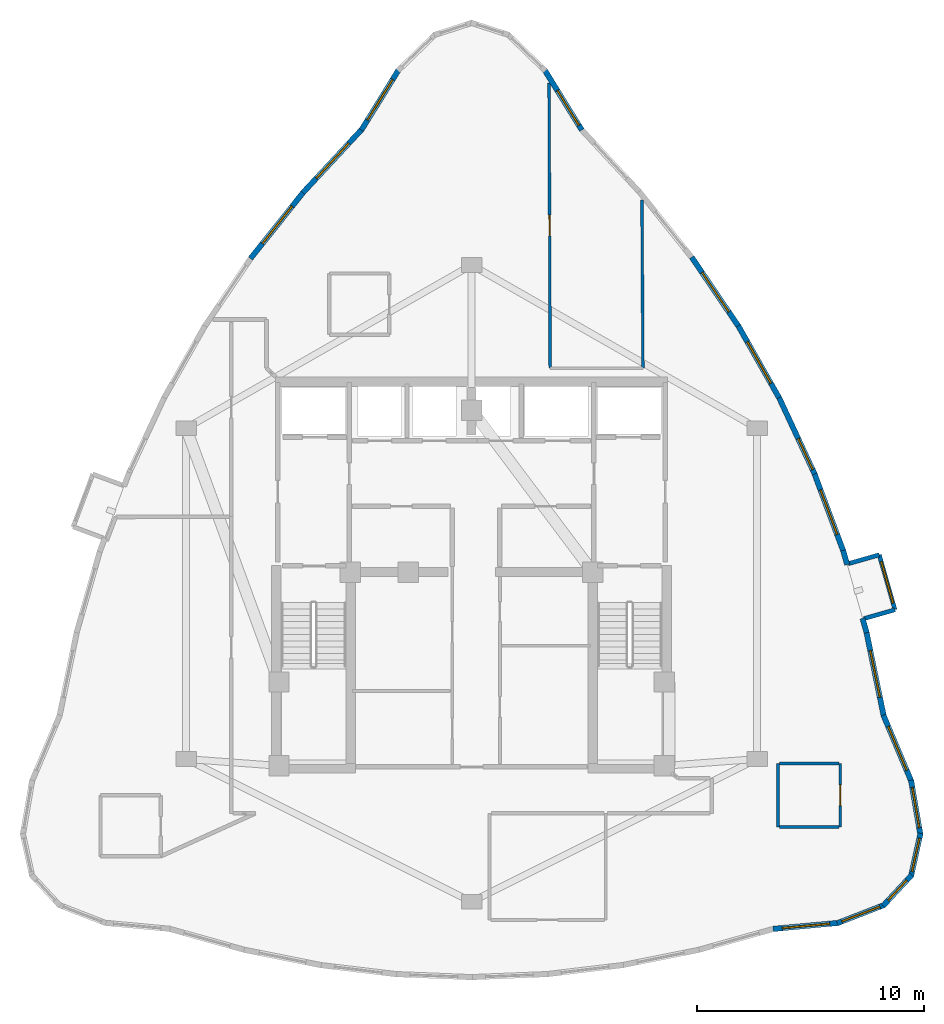
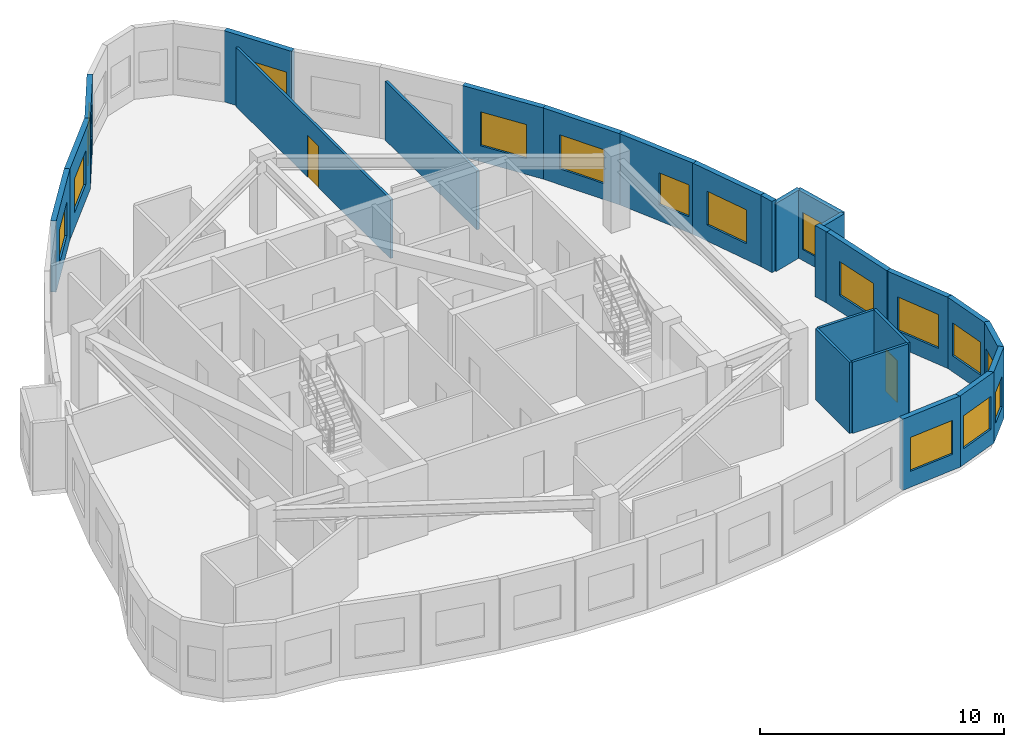
# One storey, part 7 of 9: 26 walls, 16 windows, 2 doors, 18 openings.
"""IFC4 building model written with IfcOpenShell, lengths in metres."""

from ifc_helpers import new_model, si_unit, direction, frame, frame_2d, origin, place, context, subcontext, project, spatial, rectangle, extrude, material, layer, layer_set, type_object, element, fill, save


model = new_model("IFC4")

# Units and contexts
model_context = context("Model", 3, precision=1e-05, world=origin(), true_north=direction((0.0, 1.0)))
body_context = subcontext(model_context, "Body", "Model", "MODEL_VIEW")
ifc_project = project(units=[si_unit("LENGTHUNIT", "METRE"), si_unit("AREAUNIT", "SQUARE_METRE"), si_unit("VOLUMEUNIT", "CUBIC_METRE"), si_unit("PLANEANGLEUNIT", "RADIAN"), si_unit("MASSUNIT", "GRAM", prefix="KILO")], contexts=[model_context])

# Site, building, storey
site_placement = place(None, origin())
site = spatial("IfcSite", under=ifc_project, at=site_placement, CompositionType="ELEMENT")
building_placement = place(site_placement, origin())
building = spatial("IfcBuilding", under=site, at=building_placement, Name="Miruveldt Soraemaru", CompositionType="ELEMENT")
storey_placement = place(building_placement, frame((0.0, 0.0, 267.39990234375)))
storey = spatial("IfcBuildingStorey", under=building, at=storey_placement, Name="L73", CompositionType="ELEMENT", Elevation=267.39990234375)

# Walls
ifc_material_1 = material(Name="White powder-coated aluminium EN AW-6060 T6", Category="aluminium")
ifc_layer_1 = layer(ifc_material_1, 0.18994140625, Name="White powder-coated aluminium EN AW-6060 T6", Category="aluminium")
ifc_layer_set_1 = layer_set([ifc_layer_1], Name="White powder-coated aluminium EN AW-6060 T6")
wall_type_1 = type_object("IfcWallType", Name="WALL-BAY-ALU190", PredefinedType="SOLIDWALL", material=ifc_layer_set_1)
for number, where, z_axis, x_axis, name in (
    (1, (61.317138671875, 41.9951171875, 0.0), (0.0, 0.0, 1.0), (0.961439844578, 0.275015318223, 0.0), "L73 Bay Window Side Cheek 2L"),
    (2, (61.992919921875, 44.813720703125, 0.0), (0.0, 0.0, 1.0), (-0.961394527133, -0.275173696414, 0.0), "L73 Bay Window Side Cheek 2R"),
):
    element("IfcWall", number, at=place(storey_placement, frame(where, z_axis=z_axis, x_axis=x_axis)), inside=storey, type_object=wall_type_1, Name=name, PredefinedType="SOLIDWALL", context=body_context, shape_type="SweptSolid", body=[
        extrude(rectangle(XDim=1.4248046875, YDim=0.18994140625, at=frame_2d((0.71240234375, 0.0))), origin(), (0.0, 0.0, 1.0), 3.4150390625),
    ])

# Wall, opening, window
wall_1_placement = place(storey_placement, frame((62.68701171875, 42.386962890625, 0.0), z_axis=(0.0, 0.0, 1.0), x_axis=(-0.274989392416, 0.961447260154, 0.0)))
wall_1 = element("IfcWall", 3, at=wall_1_placement, inside=storey, type_object=wall_type_1, Name="L73 Bay Window Front Frame 2", PredefinedType="SOLIDWALL", context=body_context, shape_type="SweptSolid", body=[
    extrude(rectangle(XDim=2.524169921875, YDim=0.18994140625, at=frame_2d((1.26220703125, 0.0))), origin(), (0.0, 0.0, 1.0), 3.4150390625),
])
opening_1_placement = place(wall_1_placement, frame((0.31201171875, 0.0, 0.550048828125)))
opening_1 = element("IfcOpeningElement", 4, at=opening_1_placement, cuts=wall_1, Name="Opening WN-6", PredefinedType="OPENING", context=body_context, shape_type="SweptSolid", body=[
    extrude(rectangle(XDim=1.89990234375, YDim=1.85009765625, at=frame_2d((0.949951171875, 0.925048828125))), frame((0.0, 0.10498046875, 0.0), z_axis=(0.0, -1.0, 0.0), x_axis=(1.0, 0.0, 0.0)), (0.0, 0.0, 1.0), 0.2099609375),
])
ifc_material_2 = material(Name="Triple low-e insulated glazing", Category="glass")
window_type_1 = type_object("IfcWindowType", Name="WIN-BAYW-1900x1850", PartitioningType="SINGLE_PANEL", PredefinedType="WINDOW", material=ifc_material_2)
window_1_placement = place(opening_1_placement, origin())
window_1 = element("IfcWindow", 5, at=window_1_placement, inside=storey, type_object=window_type_1, Name="L73 Projecting Bay Window 2", OverallHeight=1.85009765625, OverallWidth=1.89990234375, PartitioningType="SINGLE_PANEL", PredefinedType="WINDOW", context=body_context, shape_type="SweptSolid", body=[
    extrude(rectangle(XDim=1.89990234375, YDim=1.85009765625, at=frame_2d((0.949951171875, 0.925048828125))), frame((0.0, 0.030029296875, 0.0), z_axis=(0.0, -1.0, 0.0), x_axis=(1.0, 0.0, 0.0)), (0.0, 0.0, 1.0), 0.06005859375),
])
fill(opening_1, window_1)

ifc_material_3 = material(Name="Precast concrete C45/55 (45 MPa)", Category="concrete")
ifc_layer_2 = layer(ifc_material_3, 0.239990234375, Name="Precast concrete C45/55 (45 MPa)", Category="concrete")
ifc_layer_set_2 = layer_set([ifc_layer_2], Name="Precast concrete C45/55 (45 MPa)")
wall_type_2 = type_object("IfcWallType", Name="WALL-EXT-PC240", PredefinedType="SOLIDWALL", material=ifc_layer_set_2)
wall_2_placement = place(storey_placement, frame((48.865234375, 63.559814453125, 0.0), z_axis=(0.0, 0.0, 1.0), x_axis=(-0.526038838818, 0.850460545855, 0.0)))
wall_2 = element("IfcWall", 6, at=wall_2_placement, inside=storey, type_object=wall_type_2, Name="L73 Precast Concrete Facade Wall 1", PredefinedType="SOLIDWALL", context=body_context, shape_type="SweptSolid", body=[
    extrude(rectangle(XDim=3.14111328125, YDim=0.239990234375, at=frame_2d((1.570556640625, 0.0))), origin(), (0.0, 0.0, 1.0), 3.565185546875),
])
opening_2_placement = place(wall_2_placement, frame((0.24609375, 0.0, 0.800048828125)))
opening_2 = element("IfcOpeningElement", 7, at=opening_2_placement, cuts=wall_2, Name="Opening WN-2", PredefinedType="OPENING", context=body_context, shape_type="SweptSolid", body=[
    extrude(rectangle(XDim=1.800048828125, YDim=1.64990234375, at=frame_2d((0.89990234375, 0.824951171875))), frame((0.0, 0.1298828125, 0.0), z_axis=(0.0, -1.0, 0.0), x_axis=(1.0, 0.0, 0.0)), (0.0, 0.0, 1.0), 0.260009765625),
])
window_type_2 = type_object("IfcWindowType", Name="WIN-PUNCH-1800x1650", PartitioningType="SINGLE_PANEL", PredefinedType="WINDOW", material=ifc_material_2)
window_2_placement = place(opening_2_placement, origin())
window_2 = element("IfcWindow", 8, at=window_2_placement, inside=storey, type_object=window_type_2, Name="L73 Punched Triple-Glazed Window 01.1", OverallHeight=1.64990234375, OverallWidth=1.800048828125, PartitioningType="SINGLE_PANEL", PredefinedType="WINDOW", context=body_context, shape_type="SweptSolid", body=[
    extrude(rectangle(XDim=1.800048828125, YDim=1.64990234375, at=frame_2d((0.89990234375, 0.824951171875))), frame((0.0, 0.030029296875, 0.0), z_axis=(0.0, -1.0, 0.0), x_axis=(1.0, 0.0, 0.0)), (0.0, 0.0, 1.0), 0.06005859375),
])
fill(opening_2, window_2)

wall_3_placement = place(storey_placement, frame((40.787109375, 66.231201171875, 0.0), z_axis=(0.0, 0.0, 1.0), x_axis=(-0.526038838818, -0.850460545855, 0.0)))
wall_3 = element("IfcWall", 9, at=wall_3_placement, inside=storey, type_object=wall_type_2, Name="L73 Precast Concrete Facade Wall 6", PredefinedType="SOLIDWALL", context=body_context, shape_type="SweptSolid", body=[
    extrude(rectangle(XDim=3.14111328125, YDim=0.239990234375, at=frame_2d((1.570556640625, 0.0))), origin(), (0.0, 0.0, 1.0), 3.565185546875),
])
opening_3_placement = place(wall_3_placement, frame((0.52001953125, 0.0, 0.800048828125)))
opening_3 = element("IfcOpeningElement", 10, at=opening_3_placement, cuts=wall_3, Name="Opening WN-1", PredefinedType="OPENING", context=body_context, shape_type="SweptSolid", body=[
    extrude(rectangle(XDim=2.10009765625, YDim=1.699951171875, at=frame_2d((1.050048828125, 0.85009765625))), frame((0.0, 0.1298828125, 0.0), z_axis=(0.0, -1.0, 0.0), x_axis=(1.0, 0.0, 0.0)), (0.0, 0.0, 1.0), 0.260009765625),
])
window_type_3 = type_object("IfcWindowType", Name="WIN-PUNCH-2100x1700", PartitioningType="SINGLE_PANEL", PredefinedType="WINDOW", material=ifc_material_2)
window_3_placement = place(opening_3_placement, origin())
window_3 = element("IfcWindow", 11, at=window_3_placement, inside=storey, type_object=window_type_3, Name="L73 Punched Triple-Glazed Window 06.1", OverallHeight=1.699951171875, OverallWidth=2.10009765625, PartitioningType="SINGLE_PANEL", PredefinedType="WINDOW", context=body_context, shape_type="SweptSolid", body=[
    extrude(rectangle(XDim=2.10009765625, YDim=1.699951171875, at=frame_2d((1.050048828125, 0.85009765625))), frame((0.0, 0.030029296875, 0.0), z_axis=(0.0, -1.0, 0.0), x_axis=(1.0, 0.0, 0.0)), (0.0, 0.0, 1.0), 0.06005859375),
])
fill(opening_3, window_3)

wall_4_placement = place(storey_placement, frame((39.177001953125, 63.615234375, 0.0), z_axis=(0.0, 0.0, 1.0), x_axis=(-0.680891235859, -0.732384547168, 0.0)))
wall_4 = element("IfcWall", 12, at=wall_4_placement, inside=storey, type_object=wall_type_2, Name="L73 Precast Concrete Facade Wall 7", PredefinedType="SOLIDWALL", context=body_context, shape_type="SweptSolid", body=[
    extrude(rectangle(XDim=3.849853515625, YDim=0.239990234375, at=frame_2d((1.9248046875, 0.0))), origin(), (0.0, 0.0, 1.0), 3.565185546875),
])
opening_4_placement = place(wall_4_placement, frame((0.875, 0.0, 0.800048828125)))
opening_4 = element("IfcOpeningElement", 13, at=opening_4_placement, cuts=wall_4, Name="Opening WN-1", PredefinedType="OPENING", context=body_context, shape_type="SweptSolid", body=[
    extrude(rectangle(XDim=2.10009765625, YDim=1.699951171875, at=frame_2d((1.050048828125, 0.85009765625))), frame((0.0, 0.1298828125, 0.0), z_axis=(0.0, -1.0, 0.0), x_axis=(1.0, 0.0, 0.0)), (0.0, 0.0, 1.0), 0.260009765625),
])
window_4_placement = place(opening_4_placement, origin())
window_4 = element("IfcWindow", 14, at=window_4_placement, inside=storey, type_object=window_type_3, Name="L73 Punched Triple-Glazed Window 07.1", OverallHeight=1.699951171875, OverallWidth=2.10009765625, PartitioningType="SINGLE_PANEL", PredefinedType="WINDOW", context=body_context, shape_type="SweptSolid", body=[
    extrude(rectangle(XDim=2.10009765625, YDim=1.699951171875, at=frame_2d((1.050048828125, 0.85009765625))), frame((0.0, 0.030029296875, 0.0), z_axis=(0.0, -1.0, 0.0), x_axis=(1.0, 0.0, 0.0)), (0.0, 0.0, 1.0), 0.06005859375),
])
fill(opening_4, window_4)

wall_5_placement = place(storey_placement, frame((36.601318359375, 60.8486328125, 0.0), z_axis=(0.0, 0.0, 1.0), x_axis=(-0.623631731432, -0.781718276332, 0.0)))
wall_5 = element("IfcWall", 15, at=wall_5_placement, inside=storey, type_object=wall_type_2, Name="L73 Precast Concrete Facade Wall 8", PredefinedType="SOLIDWALL", context=body_context, shape_type="SweptSolid", body=[
    extrude(rectangle(XDim=3.7822265625, YDim=0.239990234375, at=frame_2d((1.89111328125, 0.0))), origin(), (0.0, 0.0, 1.0), 3.565185546875),
])
opening_5_placement = place(wall_5_placement, frame((0.841064453125, 0.0, 0.800048828125)))
opening_5 = element("IfcOpeningElement", 16, at=opening_5_placement, cuts=wall_5, Name="Opening WN-1", PredefinedType="OPENING", context=body_context, shape_type="SweptSolid", body=[
    extrude(rectangle(XDim=2.10009765625, YDim=1.699951171875, at=frame_2d((1.050048828125, 0.85009765625))), frame((0.0, 0.1298828125, 0.0), z_axis=(0.0, -1.0, 0.0), x_axis=(1.0, 0.0, 0.0)), (0.0, 0.0, 1.0), 0.260009765625),
])
window_5_placement = place(opening_5_placement, origin())
window_5 = element("IfcWindow", 17, at=window_5_placement, inside=storey, type_object=window_type_3, Name="L73 Punched Triple-Glazed Window 08.1", OverallHeight=1.699951171875, OverallWidth=2.10009765625, PartitioningType="SINGLE_PANEL", PredefinedType="WINDOW", context=body_context, shape_type="SweptSolid", body=[
    extrude(rectangle(XDim=2.10009765625, YDim=1.699951171875, at=frame_2d((1.050048828125, 0.85009765625))), frame((0.0, 0.030029296875, 0.0), z_axis=(0.0, -1.0, 0.0), x_axis=(1.0, 0.0, 0.0)), (0.0, 0.0, 1.0), 0.06005859375),
])
fill(opening_5, window_5)

wall_6_placement = place(storey_placement, frame((57.3076171875, 28.30078125, 0.0), z_axis=(0.0, 0.0, 1.0), x_axis=(0.995762187916, 0.09196556484, 0.0)))
wall_6 = element("IfcWall", 18, at=wall_6_placement, inside=storey, type_object=wall_type_2, Name="L73 Precast Concrete Facade Wall 29", PredefinedType="SOLIDWALL", context=body_context, shape_type="SweptSolid", body=[
    extrude(rectangle(XDim=2.90966796875, YDim=0.239990234375, at=frame_2d((1.454833984375, 0.0))), origin(), (0.0, 0.0, 1.0), 3.565185546875),
])
opening_6_placement = place(wall_6_placement, frame((0.405029296875, 0.0, 0.800048828125)))
opening_6 = element("IfcOpeningElement", 19, at=opening_6_placement, cuts=wall_6, Name="Opening WN-1", PredefinedType="OPENING", context=body_context, shape_type="SweptSolid", body=[
    extrude(rectangle(XDim=2.10009765625, YDim=1.699951171875, at=frame_2d((1.050048828125, 0.85009765625))), frame((0.0, 0.1298828125, 0.0), z_axis=(0.0, -1.0, 0.0), x_axis=(1.0, 0.0, 0.0)), (0.0, 0.0, 1.0), 0.260009765625),
])
window_6_placement = place(opening_6_placement, origin())
window_6 = element("IfcWindow", 20, at=window_6_placement, inside=storey, type_object=window_type_3, Name="L73 Punched Triple-Glazed Window 29.1", OverallHeight=1.699951171875, OverallWidth=2.10009765625, PartitioningType="SINGLE_PANEL", PredefinedType="WINDOW", context=body_context, shape_type="SweptSolid", body=[
    extrude(rectangle(XDim=2.10009765625, YDim=1.699951171875, at=frame_2d((1.050048828125, 0.85009765625))), frame((0.0, 0.030029296875, 0.0), z_axis=(0.0, -1.0, 0.0), x_axis=(1.0, 0.0, 0.0)), (0.0, 0.0, 1.0), 0.06005859375),
])
fill(opening_6, window_6)

wall_7_placement = place(storey_placement, frame((60.13720703125, 28.552490234375, 0.0), z_axis=(0.0, 0.0, 1.0), x_axis=(0.932289188826, 0.361713793486, 0.0)))
wall_7 = element("IfcWall", 21, at=wall_7_placement, inside=storey, type_object=wall_type_2, Name="L73 Precast Concrete Facade Wall 30", PredefinedType="SOLIDWALL", context=body_context, shape_type="SweptSolid", body=[
    extrude(rectangle(XDim=2.236083984375, YDim=0.239990234375, at=frame_2d((1.1181640625, 0.0))), origin(), (0.0, 0.0, 1.0), 3.565185546875),
])
opening_7_placement = place(wall_7_placement, frame((0.218017578125, 0.0, 0.800048828125)))
opening_7 = element("IfcOpeningElement", 22, at=opening_7_placement, cuts=wall_7, Name="Opening WN-2", PredefinedType="OPENING", context=body_context, shape_type="SweptSolid", body=[
    extrude(rectangle(XDim=1.800048828125, YDim=1.64990234375, at=frame_2d((0.89990234375, 0.824951171875))), frame((0.0, 0.1298828125, 0.0), z_axis=(0.0, -1.0, 0.0), x_axis=(1.0, 0.0, 0.0)), (0.0, 0.0, 1.0), 0.260009765625),
])
window_7_placement = place(opening_7_placement, origin())
window_7 = element("IfcWindow", 23, at=window_7_placement, inside=storey, type_object=window_type_2, Name="L73 Punched Triple-Glazed Window 30.1", OverallHeight=1.64990234375, OverallWidth=1.800048828125, PartitioningType="SINGLE_PANEL", PredefinedType="WINDOW", context=body_context, shape_type="SweptSolid", body=[
    extrude(rectangle(XDim=1.800048828125, YDim=1.64990234375, at=frame_2d((0.89990234375, 0.824951171875))), frame((0.0, 0.030029296875, 0.0), z_axis=(0.0, -1.0, 0.0), x_axis=(1.0, 0.0, 0.0)), (0.0, 0.0, 1.0), 0.06005859375),
])
fill(opening_7, window_7)

wall_8_placement = place(storey_placement, frame((62.16552734375, 29.322998046875, 0.0), z_axis=(0.0, 0.0, 1.0), x_axis=(0.680177974589, 0.733047012738, 0.0)))
wall_8 = element("IfcWall", 24, at=wall_8_placement, inside=storey, type_object=wall_type_2, Name="L73 Precast Concrete Facade Wall 31", PredefinedType="SOLIDWALL", context=body_context, shape_type="SweptSolid", body=[
    extrude(rectangle(XDim=1.851806640625, YDim=0.239990234375, at=frame_2d((0.92578125, 0.0))), origin(), (0.0, 0.0, 1.0), 3.565185546875),
])
opening_8_placement = place(wall_8_placement, frame((0.325927734375, 0.0, 0.780029296875)))
opening_8 = element("IfcOpeningElement", 25, at=opening_8_placement, cuts=wall_8, Name="Opening WN-4", PredefinedType="OPENING", context=body_context, shape_type="SweptSolid", body=[
    extrude(rectangle(XDim=1.199951171875, YDim=1.550048828125, at=frame_2d((0.60009765625, 0.77490234375))), frame((0.0, 0.1298828125, 0.0), z_axis=(0.0, -1.0, 0.0), x_axis=(1.0, 0.0, 0.0)), (0.0, 0.0, 1.0), 0.260009765625),
])
window_type_4 = type_object("IfcWindowType", Name="WIN-PUNCH-1200x1550", PartitioningType="SINGLE_PANEL", PredefinedType="WINDOW", material=ifc_material_2)
window_8_placement = place(opening_8_placement, origin())
window_8 = element("IfcWindow", 26, at=window_8_placement, inside=storey, type_object=window_type_4, Name="L73 Punched Triple-Glazed Window 31.1", OverallHeight=1.550048828125, OverallWidth=1.199951171875, PartitioningType="SINGLE_PANEL", PredefinedType="WINDOW", context=body_context, shape_type="SweptSolid", body=[
    extrude(rectangle(XDim=1.199951171875, YDim=1.550048828125, at=frame_2d((0.60009765625, 0.77490234375))), frame((0.0, 0.030029296875, 0.0), z_axis=(0.0, -1.0, 0.0), x_axis=(1.0, 0.0, 0.0)), (0.0, 0.0, 1.0), 0.06005859375),
])
fill(opening_8, window_8)

wall_9_placement = place(storey_placement, frame((63.3935546875, 30.620361328125, 0.0), z_axis=(0.0, 0.0, 1.0), x_axis=(0.2157991576, 0.976437772507, 0.0)))
wall_9 = element("IfcWall", 27, at=wall_9_placement, inside=storey, type_object=wall_type_2, Name="L73 Precast Concrete Facade Wall 32", PredefinedType="SOLIDWALL", context=body_context, shape_type="SweptSolid", body=[
    extrude(rectangle(XDim=1.9423828125, YDim=0.239990234375, at=frame_2d((0.97119140625, 0.0))), origin(), (0.0, 0.0, 1.0), 3.565185546875),
])
opening_9_placement = place(wall_9_placement, frame((0.220947265625, 0.0, 0.800048828125)))
opening_9 = element("IfcOpeningElement", 28, at=opening_9_placement, cuts=wall_9, Name="Opening WN-3", PredefinedType="OPENING", context=body_context, shape_type="SweptSolid", body=[
    extrude(rectangle(XDim=1.5, YDim=1.60009765625, at=frame_2d((0.75, 0.800048828125))), frame((0.0, 0.1298828125, 0.0), z_axis=(0.0, -1.0, 0.0), x_axis=(1.0, 0.0, 0.0)), (0.0, 0.0, 1.0), 0.260009765625),
])
window_type_5 = type_object("IfcWindowType", Name="WIN-PUNCH-1500x1600", PartitioningType="SINGLE_PANEL", PredefinedType="WINDOW", material=ifc_material_2)
window_9_placement = place(opening_9_placement, origin())
window_9 = element("IfcWindow", 29, at=window_9_placement, inside=storey, type_object=window_type_5, Name="L73 Punched Triple-Glazed Window 32.1", OverallHeight=1.60009765625, OverallWidth=1.5, PartitioningType="SINGLE_PANEL", PredefinedType="WINDOW", context=body_context, shape_type="SweptSolid", body=[
    extrude(rectangle(XDim=1.5, YDim=1.60009765625, at=frame_2d((0.75, 0.800048828125))), frame((0.0, 0.030029296875, 0.0), z_axis=(0.0, -1.0, 0.0), x_axis=(1.0, 0.0, 0.0)), (0.0, 0.0, 1.0), 0.06005859375),
])
fill(opening_9, window_9)

wall_10_placement = place(storey_placement, frame((63.81103515625, 32.4482421875, 0.0), z_axis=(0.0, 0.0, 1.0), x_axis=(-0.169347449278, 0.985556412096, 0.0)))
wall_10 = element("IfcWall", 30, at=wall_10_placement, inside=storey, type_object=wall_type_2, Name="L73 Precast Concrete Facade Wall 33", PredefinedType="SOLIDWALL", context=body_context, shape_type="SweptSolid", body=[
    extrude(rectangle(XDim=2.455078125, YDim=0.239990234375, at=frame_2d((1.2275390625, 0.0))), origin(), (0.0, 0.0, 1.0), 3.565185546875),
])
opening_10_placement = place(wall_10_placement, frame((0.327880859375, 0.0, 0.800048828125)))
opening_10 = element("IfcOpeningElement", 31, at=opening_10_placement, cuts=wall_10, Name="Opening WN-2", PredefinedType="OPENING", context=body_context, shape_type="SweptSolid", body=[
    extrude(rectangle(XDim=1.800048828125, YDim=1.64990234375, at=frame_2d((0.89990234375, 0.824951171875))), frame((0.0, 0.1298828125, 0.0), z_axis=(0.0, -1.0, 0.0), x_axis=(1.0, 0.0, 0.0)), (0.0, 0.0, 1.0), 0.260009765625),
])
window_10_placement = place(opening_10_placement, origin())
window_10 = element("IfcWindow", 32, at=window_10_placement, inside=storey, type_object=window_type_2, Name="L73 Punched Triple-Glazed Window 33.1", OverallHeight=1.64990234375, OverallWidth=1.800048828125, PartitioningType="SINGLE_PANEL", PredefinedType="WINDOW", context=body_context, shape_type="SweptSolid", body=[
    extrude(rectangle(XDim=1.800048828125, YDim=1.64990234375, at=frame_2d((0.89990234375, 0.824951171875))), frame((0.0, 0.030029296875, 0.0), z_axis=(0.0, -1.0, 0.0), x_axis=(1.0, 0.0, 0.0)), (0.0, 0.0, 1.0), 0.06005859375),
])
fill(opening_10, window_10)

wall_11_placement = place(storey_placement, frame((63.414794921875, 34.80126953125, 0.0), z_axis=(0.0, 0.0, 1.0), x_axis=(-0.388662919485, 0.921380016615, 0.0)))
wall_11 = element("IfcWall", 33, at=wall_11_placement, inside=storey, type_object=wall_type_2, Name="L73 Precast Concrete Facade Wall 34", PredefinedType="SOLIDWALL", context=body_context, shape_type="SweptSolid", body=[
    extrude(rectangle(XDim=3.18798828125, YDim=0.239990234375, at=frame_2d((1.593994140625, 0.0))), origin(), (0.0, 0.0, 1.0), 3.565185546875),
])
opening_11_placement = place(wall_11_placement, frame((0.5439453125, 0.0, 0.800048828125)))
opening_11 = element("IfcOpeningElement", 34, at=opening_11_placement, cuts=wall_11, Name="Opening WN-1", PredefinedType="OPENING", context=body_context, shape_type="SweptSolid", body=[
    extrude(rectangle(XDim=2.10009765625, YDim=1.699951171875, at=frame_2d((1.050048828125, 0.85009765625))), frame((0.0, 0.1298828125, 0.0), z_axis=(0.0, -1.0, 0.0), x_axis=(1.0, 0.0, 0.0)), (0.0, 0.0, 1.0), 0.260009765625),
])
window_11_placement = place(opening_11_placement, origin())
window_11 = element("IfcWindow", 35, at=window_11_placement, inside=storey, type_object=window_type_3, Name="L73 Punched Triple-Glazed Window 34.1", OverallHeight=1.699951171875, OverallWidth=2.10009765625, PartitioningType="SINGLE_PANEL", PredefinedType="WINDOW", context=body_context, shape_type="SweptSolid", body=[
    extrude(rectangle(XDim=2.10009765625, YDim=1.699951171875, at=frame_2d((1.050048828125, 0.85009765625))), frame((0.0, 0.030029296875, 0.0), z_axis=(0.0, -1.0, 0.0), x_axis=(1.0, 0.0, 0.0)), (0.0, 0.0, 1.0), 0.06005859375),
])
fill(opening_11, window_11)

wall_12_placement = place(storey_placement, frame((62.196533203125, 37.672119140625, 0.0), z_axis=(0.0, 0.0, 1.0), x_axis=(-0.201588507815, 0.979470302519, 0.0)))
wall_12 = element("IfcWall", 36, at=wall_12_placement, inside=storey, type_object=wall_type_2, Name="L73 Precast Concrete Facade Wall 35", PredefinedType="SOLIDWALL", context=body_context, shape_type="SweptSolid", body=[
    extrude(rectangle(XDim=3.85009765625, YDim=0.239990234375, at=frame_2d((1.925048828125, 0.0))), origin(), (0.0, 0.0, 1.0), 3.565185546875),
])
opening_12_placement = place(wall_12_placement, frame((0.875, 0.0, 0.800048828125)))
opening_12 = element("IfcOpeningElement", 37, at=opening_12_placement, cuts=wall_12, Name="Opening WN-1", PredefinedType="OPENING", context=body_context, shape_type="SweptSolid", body=[
    extrude(rectangle(XDim=2.10009765625, YDim=1.699951171875, at=frame_2d((1.050048828125, 0.85009765625))), frame((0.0, 0.1298828125, 0.0), z_axis=(0.0, -1.0, 0.0), x_axis=(1.0, 0.0, 0.0)), (0.0, 0.0, 1.0), 0.260009765625),
])
window_12_placement = place(opening_12_placement, origin())
window_12 = element("IfcWindow", 38, at=window_12_placement, inside=storey, type_object=window_type_3, Name="L73 Punched Triple-Glazed Window 35.1", OverallHeight=1.699951171875, OverallWidth=2.10009765625, PartitioningType="SINGLE_PANEL", PredefinedType="WINDOW", context=body_context, shape_type="SweptSolid", body=[
    extrude(rectangle(XDim=2.10009765625, YDim=1.699951171875, at=frame_2d((1.050048828125, 0.85009765625))), frame((0.0, 0.030029296875, 0.0), z_axis=(0.0, -1.0, 0.0), x_axis=(1.0, 0.0, 0.0)), (0.0, 0.0, 1.0), 0.06005859375),
])
fill(opening_12, window_12)

# Walls
for number, where, z_axis, x_axis, name in (
    (39, (61.43701171875, 41.375, 0.0), (0.0, 0.0, 1.0), (-0.274476506227, 0.961593805892, 0.0), "L73 Precast Pier Wall 36A"),
    (40, (60.578369140625, 44.377685546875, 0.0), (0.0, 0.0, 1.0), (-0.274818961634, 0.961495989761, 0.0), "L73 Precast Pier Wall 36B"),
):
    element("IfcWall", number, at=place(storey_placement, frame(where, z_axis=z_axis, x_axis=x_axis)), inside=storey, type_object=wall_type_2, Name=name, PredefinedType="SOLIDWALL", context=body_context, shape_type="SweptSolid", body=[
        extrude(rectangle(XDim=0.6591796875, YDim=0.239990234375, at=frame_2d((0.32958984375, 0.0))), origin(), (0.0, 0.0, 1.0), 3.565185546875),
    ])

# Wall, opening, window
wall_13_placement = place(storey_placement, frame((60.4189453125, 44.94482421875, 0.0), z_axis=(0.0, 0.0, 1.0), x_axis=(-0.349010010303, 0.937118996023, 0.0)))
wall_13 = element("IfcWall", 41, at=wall_13_placement, inside=storey, type_object=wall_type_2, Name="L73 Precast Concrete Facade Wall 37", PredefinedType="SOLIDWALL", context=body_context, shape_type="SweptSolid", body=[
    extrude(rectangle(XDim=3.736083984375, YDim=0.239990234375, at=frame_2d((1.8681640625, 0.0))), origin(), (0.0, 0.0, 1.0), 3.565185546875),
])
opening_13_placement = place(wall_13_placement, frame((0.818115234375, 0.0, 0.800048828125)))
opening_13 = element("IfcOpeningElement", 42, at=opening_13_placement, cuts=wall_13, Name="Opening WN-1", PredefinedType="OPENING", context=body_context, shape_type="SweptSolid", body=[
    extrude(rectangle(XDim=2.10009765625, YDim=1.699951171875, at=frame_2d((1.050048828125, 0.85009765625))), frame((0.0, 0.1298828125, 0.0), z_axis=(0.0, -1.0, 0.0), x_axis=(1.0, 0.0, 0.0)), (0.0, 0.0, 1.0), 0.260009765625),
])
window_13_placement = place(opening_13_placement, origin())
window_13 = element("IfcWindow", 43, at=window_13_placement, inside=storey, type_object=window_type_3, Name="L73 Punched Triple-Glazed Window 37.1", OverallHeight=1.699951171875, OverallWidth=2.10009765625, PartitioningType="SINGLE_PANEL", PredefinedType="WINDOW", context=body_context, shape_type="SweptSolid", body=[
    extrude(rectangle(XDim=2.10009765625, YDim=1.699951171875, at=frame_2d((1.050048828125, 0.85009765625))), frame((0.0, 0.030029296875, 0.0), z_axis=(0.0, -1.0, 0.0), x_axis=(1.0, 0.0, 0.0)), (0.0, 0.0, 1.0), 0.06005859375),
])
fill(opening_13, window_13)

wall_14_placement = place(storey_placement, frame((59.14208984375, 48.381591796875, 0.0), z_axis=(0.0, 0.0, 1.0), x_axis=(-0.422345429955, 0.906434960599, 0.0)))
wall_14 = element("IfcWall", 44, at=wall_14_placement, inside=storey, type_object=wall_type_2, Name="L73 Precast Concrete Facade Wall 38", PredefinedType="SOLIDWALL", context=body_context, shape_type="SweptSolid", body=[
    extrude(rectangle(XDim=3.712890625, YDim=0.239990234375, at=frame_2d((1.8564453125, 0.0))), origin(), (0.0, 0.0, 1.0), 3.565185546875),
])
opening_14_placement = place(wall_14_placement, frame((0.216064453125, 0.0, 0.800048828125)))
opening_14 = element("IfcOpeningElement", 45, at=opening_14_placement, cuts=wall_14, Name="Opening WN-3", PredefinedType="OPENING", context=body_context, shape_type="SweptSolid", body=[
    extrude(rectangle(XDim=1.5, YDim=1.60009765625, at=frame_2d((0.75, 0.800048828125))), frame((0.0, 0.1298828125, 0.0), z_axis=(0.0, -1.0, 0.0), x_axis=(1.0, 0.0, 0.0)), (0.0, 0.0, 1.0), 0.260009765625),
])
window_14_placement = place(opening_14_placement, origin())
window_14 = element("IfcWindow", 46, at=window_14_placement, inside=storey, type_object=window_type_5, Name="L73 Punched Triple-Glazed Window 38.1", OverallHeight=1.60009765625, OverallWidth=1.5, PartitioningType="SINGLE_PANEL", PredefinedType="WINDOW", context=body_context, shape_type="SweptSolid", body=[
    extrude(rectangle(XDim=1.5, YDim=1.60009765625, at=frame_2d((0.75, 0.800048828125))), frame((0.0, 0.030029296875, 0.0), z_axis=(0.0, -1.0, 0.0), x_axis=(1.0, 0.0, 0.0)), (0.0, 0.0, 1.0), 0.06005859375),
])
fill(opening_14, window_14)

wall_15_placement = place(storey_placement, frame((57.606201171875, 51.68505859375, 0.0), z_axis=(0.0, 0.0, 1.0), x_axis=(-0.49336758037, 0.869820918718, 0.0)))
wall_15 = element("IfcWall", 47, at=wall_15_placement, inside=storey, type_object=wall_type_2, Name="L73 Precast Concrete Facade Wall 39", PredefinedType="SOLIDWALL", context=body_context, shape_type="SweptSolid", body=[
    extrude(rectangle(XDim=3.712890625, YDim=0.239990234375, at=frame_2d((1.8564453125, 0.0))), origin(), (0.0, 0.0, 1.0), 3.565185546875),
])
opening_15_placement = place(wall_15_placement, frame((0.805908203125, 0.0, 0.800048828125)))
opening_15 = element("IfcOpeningElement", 48, at=opening_15_placement, cuts=wall_15, Name="Opening WN-1", PredefinedType="OPENING", context=body_context, shape_type="SweptSolid", body=[
    extrude(rectangle(XDim=2.10009765625, YDim=1.699951171875, at=frame_2d((1.050048828125, 0.85009765625))), frame((0.0, 0.1298828125, 0.0), z_axis=(0.0, -1.0, 0.0), x_axis=(1.0, 0.0, 0.0)), (0.0, 0.0, 1.0), 0.260009765625),
])
window_15_placement = place(opening_15_placement, origin())
window_15 = element("IfcWindow", 49, at=window_15_placement, inside=storey, type_object=window_type_3, Name="L73 Punched Triple-Glazed Window 39.1", OverallHeight=1.699951171875, OverallWidth=2.10009765625, PartitioningType="SINGLE_PANEL", PredefinedType="WINDOW", context=body_context, shape_type="SweptSolid", body=[
    extrude(rectangle(XDim=2.10009765625, YDim=1.699951171875, at=frame_2d((1.050048828125, 0.85009765625))), frame((0.0, 0.030029296875, 0.0), z_axis=(0.0, -1.0, 0.0), x_axis=(1.0, 0.0, 0.0)), (0.0, 0.0, 1.0), 0.06005859375),
])
fill(opening_15, window_15)

wall_16_placement = place(storey_placement, frame((55.811279296875, 54.85498046875, 0.0), z_axis=(0.0, 0.0, 1.0), x_axis=(-0.560822138973, 0.827936306993, 0.0)))
wall_16 = element("IfcWall", 50, at=wall_16_placement, inside=storey, type_object=wall_type_2, Name="L73 Precast Concrete Facade Wall 40", PredefinedType="SOLIDWALL", context=body_context, shape_type="SweptSolid", body=[
    extrude(rectangle(XDim=3.736328125, YDim=0.239990234375, at=frame_2d((1.8681640625, 0.0))), origin(), (0.0, 0.0, 1.0), 3.565185546875),
])
opening_16_placement = place(wall_16_placement, frame((0.818115234375, 0.0, 0.800048828125)))
opening_16 = element("IfcOpeningElement", 51, at=opening_16_placement, cuts=wall_16, Name="Opening WN-1", PredefinedType="OPENING", context=body_context, shape_type="SweptSolid", body=[
    extrude(rectangle(XDim=2.10009765625, YDim=1.699951171875, at=frame_2d((1.050048828125, 0.85009765625))), frame((0.0, 0.1298828125, 0.0), z_axis=(0.0, -1.0, 0.0), x_axis=(1.0, 0.0, 0.0)), (0.0, 0.0, 1.0), 0.260009765625),
])
window_16_placement = place(opening_16_placement, origin())
window_16 = element("IfcWindow", 52, at=window_16_placement, inside=storey, type_object=window_type_3, Name="L73 Punched Triple-Glazed Window 40.1", OverallHeight=1.699951171875, OverallWidth=2.10009765625, PartitioningType="SINGLE_PANEL", PredefinedType="WINDOW", context=body_context, shape_type="SweptSolid", body=[
    extrude(rectangle(XDim=2.10009765625, YDim=1.699951171875, at=frame_2d((1.050048828125, 0.85009765625))), frame((0.0, 0.030029296875, 0.0), z_axis=(0.0, -1.0, 0.0), x_axis=(1.0, 0.0, 0.0)), (0.0, 0.0, 1.0), 0.06005859375),
])
fill(opening_16, window_16)

# Wall, opening, door
ifc_material_4 = material(Name="Gypsum plasterboard lining", Category="gypsum")
ifc_layer_3 = layer(ifc_material_4, 0.1201171875, Name="Gypsum plasterboard lining", Category="gypsum")
ifc_layer_set_3 = layer_set([ifc_layer_3], Name="Gypsum plasterboard lining")
wall_type_3 = type_object("IfcWallType", Name="WALL-INT-P120", PredefinedType="PARTITIONING", material=ifc_layer_set_3)
wall_17_placement = place(storey_placement, frame((47.466064453125, 53.050048828125, 0.0), z_axis=(0.0, 0.0, 1.0), x_axis=(-0.003742242037, 0.999992997788, 0.0)))
wall_17 = element("IfcWall", 53, at=wall_17_placement, inside=storey, type_object=wall_type_3, Name="L73 Partition Wall 15", PredefinedType="PARTITIONING", context=body_context, shape_type="SweptSolid", body=[
    extrude(rectangle(XDim=12.591064453125, YDim=0.1201171875, at=frame_2d((6.29541015625, 0.0))), origin(), (0.0, 0.0, 1.0), 2.965087890625),
])
opening_17_placement = place(wall_17_placement, frame((5.8359375, 0.0, 0.0)))
opening_17 = element("IfcOpeningElement", 54, at=opening_17_placement, cuts=wall_17, Name="Opening D3A", PredefinedType="OPENING", context=body_context, shape_type="SweptSolid", body=[
    extrude(rectangle(XDim=0.919921875, YDim=2.10009765625, at=frame_2d((0.4599609375, 1.050048828125))), frame((0.0, 0.070068359375, 0.0), z_axis=(0.0, -1.0, 0.0), x_axis=(1.0, 0.0, 0.0)), (0.0, 0.0, 1.0), 0.14013671875),
])
ifc_material_5 = material(Name="Anodised aluminium EN AW-6063 T6", Category="aluminium")
door_type = type_object("IfcDoorType", Name="DOOR-INT-920", OperationType="NOTDEFINED", PredefinedType="DOOR", material=ifc_material_5)
door_1_placement = place(opening_17_placement, origin())
door_1 = element("IfcDoor", 55, at=door_1_placement, inside=storey, type_object=door_type, Name="L73 Unit 7301 BD1 Door", OperationType="SINGLE_SWING_LEFT", OverallHeight=2.10009765625, OverallWidth=0.919921875, PredefinedType="DOOR", context=body_context, shape_type="SweptSolid", body=[
    extrude(rectangle(XDim=0.919921875, YDim=2.10009765625, at=frame_2d((0.4599609375, 1.050048828125))), frame((0.0, 0.02490234375, 0.0), z_axis=(0.0, -1.0, 0.0), x_axis=(1.0, 0.0, 0.0)), (0.0, 0.0, 1.0), 0.050048828125),
])
fill(opening_17, door_1)

wall_18_placement = place(storey_placement, frame((60.27490234375, 32.801025390625, 0.0), z_axis=(0.0, 0.0, 1.0), x_axis=(0.0, 1.0, 0.0)))
wall_18 = element("IfcWall", 56, at=wall_18_placement, inside=storey, type_object=wall_type_3, Name="L73 Partition Wall 21", PredefinedType="PARTITIONING", context=body_context, shape_type="SweptSolid", body=[
    extrude(rectangle(XDim=2.800048828125, YDim=0.1201171875, at=frame_2d((1.39990234375, 0.0))), origin(), (0.0, 0.0, 1.0), 3.565185546875),
])
opening_18_placement = place(wall_18_placement, frame((0.93994140625, 0.0, 0.0)))
opening_18 = element("IfcOpeningElement", 57, at=opening_18_placement, cuts=wall_18, Name="Opening D3A", PredefinedType="OPENING", context=body_context, shape_type="SweptSolid", body=[
    extrude(rectangle(XDim=0.919921875, YDim=2.10009765625, at=frame_2d((0.4599609375, 1.050048828125))), frame((0.0, 0.070068359375, 0.0), z_axis=(0.0, -1.0, 0.0), x_axis=(1.0, 0.0, 0.0)), (0.0, 0.0, 1.0), 0.14013671875),
])
door_2_placement = place(opening_18_placement, origin())
door_2 = element("IfcDoor", 58, at=door_2_placement, inside=storey, type_object=door_type, Name="L73 Unit CL02 KIT Door", OperationType="SINGLE_SWING_RIGHT", OverallHeight=2.10009765625, OverallWidth=0.919921875, PredefinedType="DOOR", context=body_context, shape_type="SweptSolid", body=[
    extrude(rectangle(XDim=0.919921875, YDim=2.10009765625, at=frame_2d((0.4599609375, 1.050048828125))), frame((0.0, 0.02490234375, 0.0), z_axis=(0.0, -1.0, 0.0), x_axis=(1.0, 0.0, 0.0)), (0.0, 0.0, 1.0), 0.050048828125),
])
fill(opening_18, door_2)

# Walls
wall_19_placement = place(storey_placement, frame((51.51904296875, 60.48095703125, 0.0), z_axis=(0.0, 0.0, 1.0), x_axis=(0.005782339181, -0.999983282137, 0.0)))
element("IfcWall", 59, at=wall_19_placement, inside=storey, type_object=wall_type_3, Name="L73 Partition Wall 27", PredefinedType="PARTITIONING", context=body_context, shape_type="SweptSolid", body=[
    extrude(rectangle(XDim=7.43115234375, YDim=0.1201171875, at=frame_2d((3.715576171875, 0.0))), origin(), (0.0, 0.0, 1.0), 2.965087890625),
])
wall_20_placement = place(storey_placement, frame((57.52490234375, 35.60107421875, 0.0), z_axis=(0.0, 0.0, 1.0), x_axis=(0.0, -1.0, 0.0)))
element("IfcWall", 60, at=wall_20_placement, inside=storey, type_object=wall_type_3, Name="L73 Partition Wall 23", PredefinedType="PARTITIONING", context=body_context, shape_type="SweptSolid", body=[
    extrude(rectangle(XDim=2.800048828125, YDim=0.1201171875, at=frame_2d((1.39990234375, 0.0))), origin(), (0.0, 0.0, 1.0), 3.565185546875),
])
for number, where, z_axis, x_axis, name in (
    (61, (60.215087890625, 35.60107421875, 0.0), (0.0, 0.0, 1.0), (-1.0, 0.0, 0.0), "L73 Partition Wall 22"),
    (62, (57.5849609375, 32.801025390625, 0.0), (0.0, 0.0, 1.0), (1.0, 0.0, 0.0), "L73 Partition Wall 24"),
):
    element("IfcWall", number, at=place(storey_placement, frame(where, z_axis=z_axis, x_axis=x_axis)), inside=storey, type_object=wall_type_3, Name=name, PredefinedType="PARTITIONING", context=body_context, shape_type="SweptSolid", body=[
        extrude(rectangle(XDim=2.630126953125, YDim=0.1201171875, at=frame_2d((1.31494140625, 0.0))), origin(), (0.0, 0.0, 1.0), 3.565185546875),
    ])

save(model, "model.ifc")
